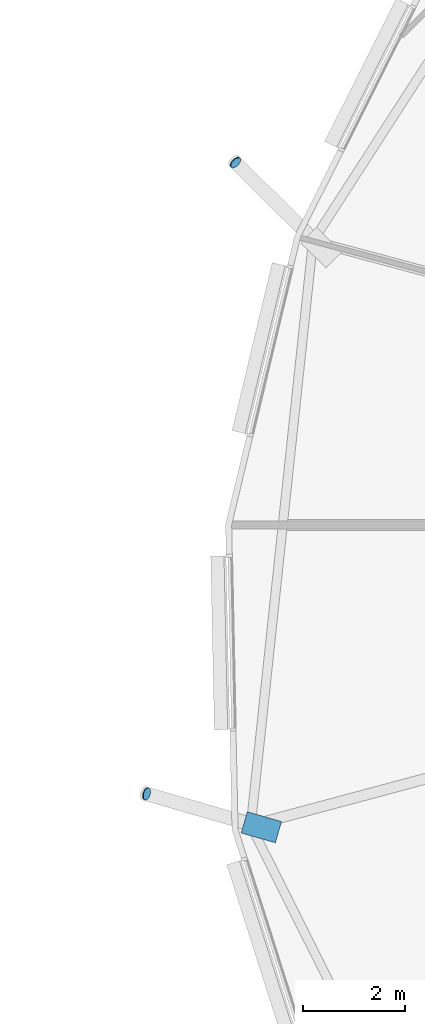
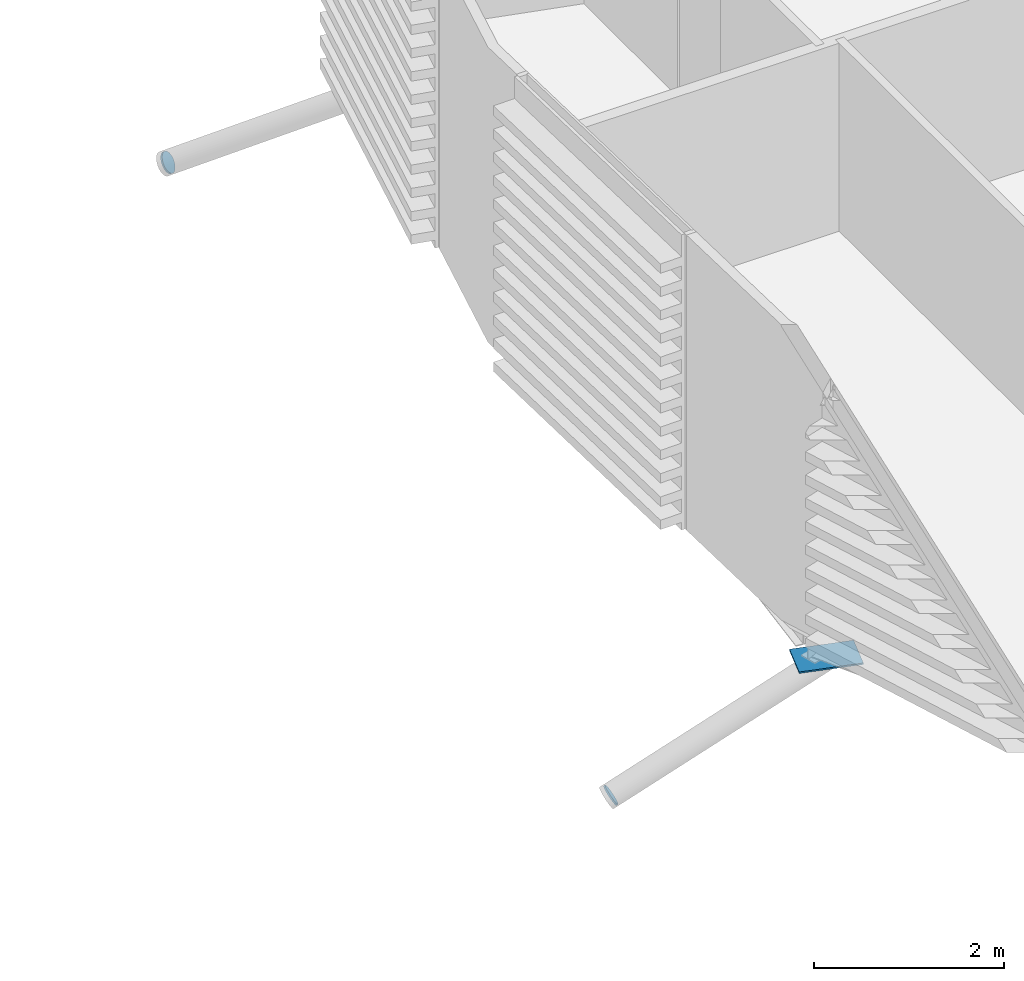
# One storey, part 33 of 43: 3 discrete accessories.
"""IFC4 building model written with IfcOpenShell, lengths in metres."""

from ifc_helpers import new_model, si_unit, direction, frame, origin, origin_2d, place, context, subcontext, project, spatial, polyline, rectangle, circle, outline, extrude, material, material_profile, profile_set, type_object, element, save


model = new_model("IFC4")

# Units and contexts
model_context = context("Model", 3, precision=1e-05, world=origin(), true_north=direction((0.0, 1.0)))
body_context = subcontext(model_context, "Body", "Model", "MODEL_VIEW")
ifc_project = project(units=[si_unit("LENGTHUNIT", "METRE"), si_unit("AREAUNIT", "SQUARE_METRE"), si_unit("VOLUMEUNIT", "CUBIC_METRE"), si_unit("PLANEANGLEUNIT", "RADIAN"), si_unit("MASSUNIT", "GRAM", prefix="KILO")], contexts=[model_context])

# Site, building, storey
site_placement = place(None, origin())
site = spatial("IfcSite", under=ifc_project, at=site_placement, CompositionType="ELEMENT")
building_placement = place(site_placement, origin())
building = spatial("IfcBuilding", under=site, at=building_placement, Name="Rimbun Link Towers", CompositionType="ELEMENT")
storey_placement = place(building_placement, frame((0.0, 0.0, 81.60009765625)))
storey = spatial("IfcBuildingStorey", under=building, at=storey_placement, Name="L19", CompositionType="ELEMENT", Elevation=81.60009765625)

# Discrete accessories
ifc_material_1 = material(Name="Steel S355J2H", Category="steel")
ifc_material_profile_1 = material_profile(ifc_material_1, circle(Radius=0.1240234375, at=origin_2d()), Name="PL D248")
ifc_profile_set_1 = profile_set([ifc_material_profile_1], Name="Steel S355J2H")
discrete_accessory_type_1 = type_object("IfcDiscreteAccessoryType", Name="Link foot sealing plate D248X20", PredefinedType="BRACKET", material=ifc_profile_set_1)
discrete_accessory_1_placement = place(storey_placement, frame((9.501708984375, 7.090576171875, -2.04541015625), z_axis=(-0.612448996606, 0.600200016674, -0.514457157149), x_axis=(-0.69992858236, -0.714212839143, 0.0)))
element("IfcDiscreteAccessory", 1, at=discrete_accessory_1_placement, inside=storey, type_object=discrete_accessory_type_1, Name="Link foot sealing plate T2 L19 08", PredefinedType="BRACKET", context=body_context, shape_type="SweptSolid", body=[
    extrude(circle(Radius=0.1240234375, at=origin_2d()), origin(), (0.0, 0.0, 1.0), 0.02001953125),
])
discrete_accessory_2_placement = place(storey_placement, frame((7.761962890625, -5.265380859375, -2.087890625), z_axis=(-0.823839683072, 0.233626178782, -0.516436816254), x_axis=(-0.272824100275, -0.962063932548, 0.0)))
element("IfcDiscreteAccessory", 2, at=discrete_accessory_2_placement, inside=storey, type_object=discrete_accessory_type_1, Name="Link foot sealing plate T2 L19 10", PredefinedType="BRACKET", context=body_context, shape_type="SweptSolid", body=[
    extrude(circle(Radius=0.1240234375, at=origin_2d()), origin(), (0.0, 0.0, 1.0), 0.019775390625),
])
ifc_material_2 = material(Name="Steel S355J2H", Category="steel")
ifc_material_profile_2 = material_profile(ifc_material_2, rectangle(XDim=0.43310546875, YDim=0.43310546875, at=origin_2d()), Name="PL 433x433")
ifc_profile_set_2 = profile_set([ifc_material_profile_2], Name="Steel S355J2H")
discrete_accessory_type_2 = type_object("IfcDiscreteAccessoryType", Name="Link head end plate 433X20", PredefinedType="BRACKET", material=ifc_profile_set_2)
discrete_accessory_3_placement = place(storey_placement, frame((0.0, 0.0, -0.713134765625)))
element("IfcDiscreteAccessory", 3, at=discrete_accessory_3_placement, inside=storey, type_object=discrete_accessory_type_2, Name="Link head end plate T2 L19 10", PredefinedType="BRACKET", context=body_context, shape_type="SweptSolid", body=[
    extrude(outline(polyline([(10.397705078125, -5.804931640625), (9.727783203125, -5.610595703125), (9.60693359375, -6.0263671875), (10.277099609375, -6.220703125), (10.397705078125, -5.804931640625)])), origin(), (0.0, 0.0, 1.0), 0.02001953125),
])

save(model, "model.ifc")
